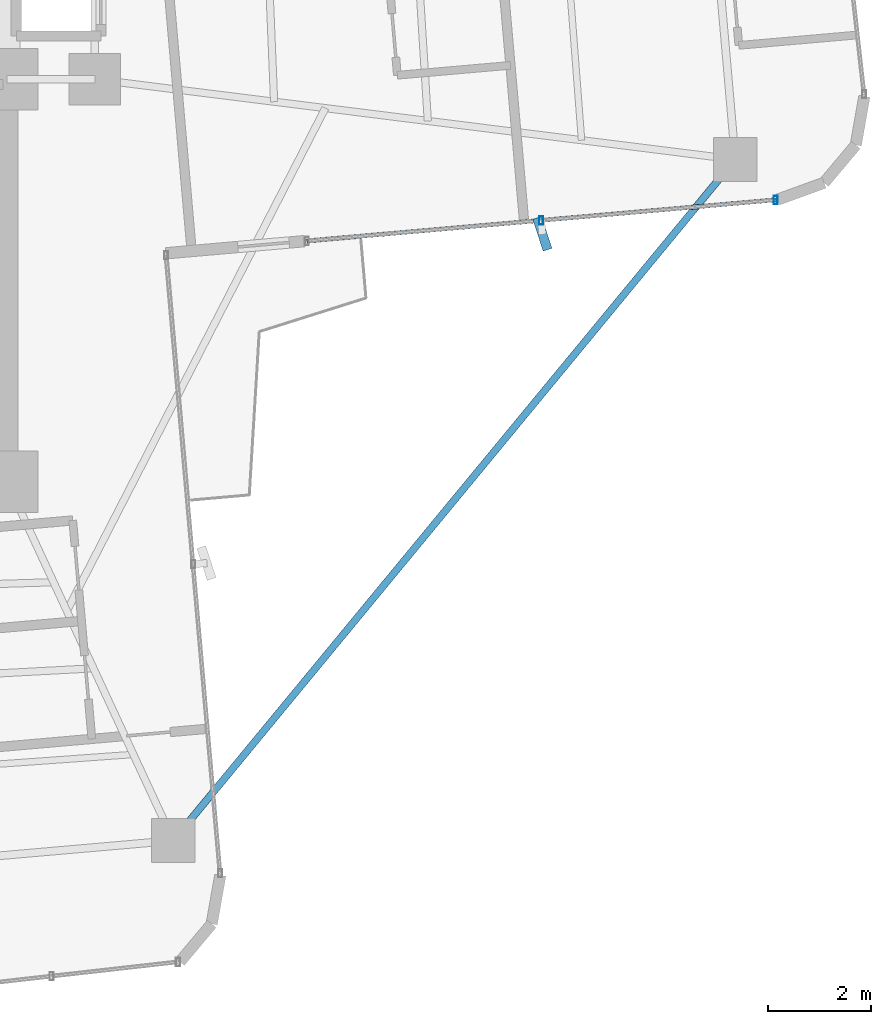
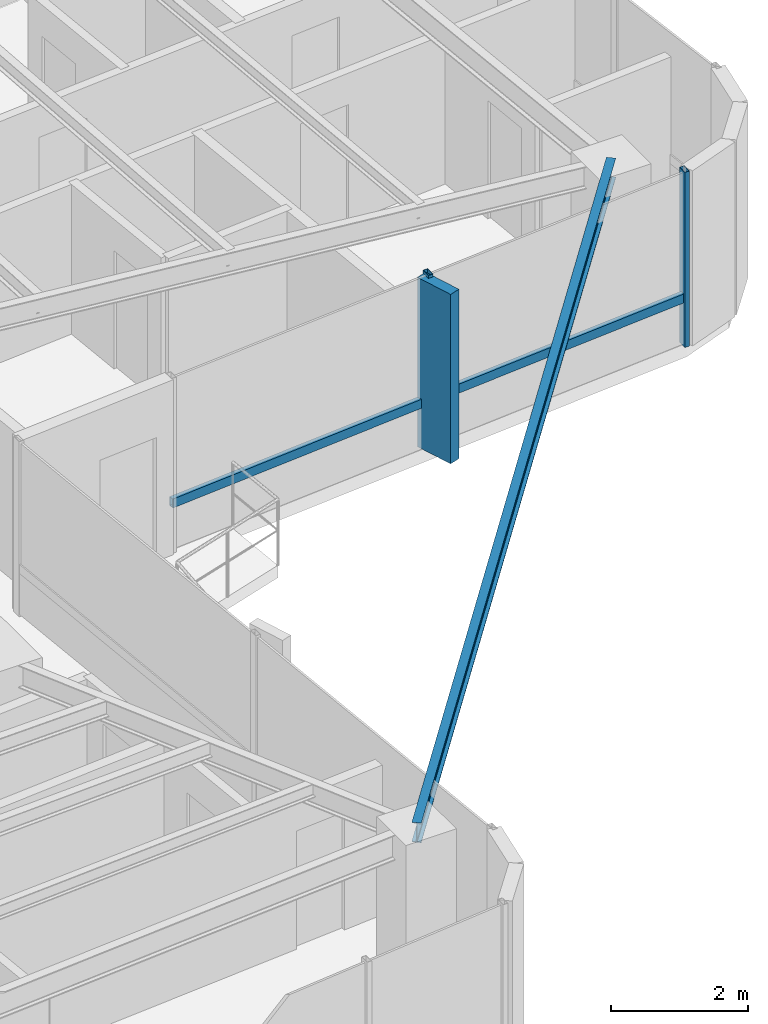
# One storey, part 13 of 24: 5 members, 1 beam, 1 element without a shape of its own.
"""IFC4 building model written with IfcOpenShell, lengths in metres."""

from ifc_helpers import new_model, si_unit, direction, frame, origin, origin_2d, place, context, subcontext, project, spatial, rectangle, hollow_rectangle, i_section, extrude, source, transform, mapped, material, material_profile, profile_set, type_object, element, aggregate, save


model = new_model("IFC4")

# Units and contexts
model_context = context("Model", 3, precision=1e-05, world=origin(), true_north=direction((0.0, 1.0)))
body_context = subcontext(model_context, "Body", "Model", "MODEL_VIEW")
ifc_project = project(units=[si_unit("LENGTHUNIT", "METRE"), si_unit("AREAUNIT", "SQUARE_METRE"), si_unit("VOLUMEUNIT", "CUBIC_METRE"), si_unit("PLANEANGLEUNIT", "RADIAN"), si_unit("MASSUNIT", "GRAM", prefix="KILO")], contexts=[model_context])

# Site, building, storey
site_placement = place(None, origin())
site = spatial("IfcSite", under=ifc_project, at=site_placement, CompositionType="ELEMENT")
building_placement = place(site_placement, origin())
building = spatial("IfcBuilding", under=site, at=building_placement, Name="Sahyath Konkavel Grand Hotel", CompositionType="ELEMENT")
storey_placement = place(building_placement, frame((0.0, 0.0, 191.949951171875)))
storey = spatial("IfcBuildingStorey", under=building, at=storey_placement, Name="L53", CompositionType="ELEMENT", Elevation=191.949951171875)

# Beam
ifc_material_1 = material(Name="Steel E350", Category="steel")
ifc_material_profile_1 = material_profile(ifc_material_1, i_section(OverallWidth=0.139892578125, OverallDepth=0.35009765625, WebThickness=0.008056640625, FlangeThickness=0.01416015625, FilletRadius=0.013916015625, at=origin_2d()), Name="ISMB 350")
ifc_profile_set_1 = profile_set([ifc_material_profile_1], Name="Steel E350")
beam_type = type_object("IfcBeamType", Name="BM-ISMB350", PredefinedType="BEAM", material=ifc_profile_set_1)
shared_shape_1 = source(origin(), body_context, "Body", "SweptSolid", [
    extrude(i_section(OverallWidth=0.139892578125, OverallDepth=0.35009765625, WebThickness=0.008056640625, FlangeThickness=0.01416015625, FilletRadius=0.013916015625, at=origin_2d()), origin(), (0.0, 0.0, 1.0), 17.112548828125),
])
beam_placement = place(storey_placement, frame((17.912841796875, -3.953857421875, 2.93505859375), z_axis=(-0.636437070092, -0.77132863023, 0.0), x_axis=(0.77132863023, -0.636437070092, 0.0)))
element("IfcBeam", 1, at=beam_placement, inside=storey, type_object=beam_type, Name="L53 Re-Entrant Tie Beam SE", PredefinedType="BEAM", context=body_context, shape_type="MappedRepresentation", body=[
    mapped(shared_shape_1, transform((0.0, 0.0, 0.0), scale=1.0)),
])

# Curtain wall, members
ifc_material_2 = material(Name="Anodised Bronze Aluminium & Low-E Glazing", Category="aluminium")
curtain_wall_type = type_object("IfcCurtainWallType", Name="CW-ZONE3", PredefinedType="NOTDEFINED", material=ifc_material_2)
curtain_wall_placement = place(storey_placement, origin())
curtain_wall = element("IfcCurtainWall", 2, at=curtain_wall_placement, inside=storey, type_object=curtain_wall_type, Name="L53 Unitised Curtain Wall F0", PredefinedType="NOTDEFINED")
ifc_material_3 = material(Name="Warm Buff Sandstone Cladding on Concrete C50/60", Category="masonry")
ifc_material_profile_2 = material_profile(ifc_material_3, rectangle(XDim=0.179931640625, YDim=0.64990234375, at=origin_2d()), Name="FIN 180x650")
ifc_profile_set_2 = profile_set([ifc_material_profile_2], Name="Warm Buff Sandstone Cladding on Concrete C50/60")
member_type_1 = type_object("IfcMemberType", Name="FIN-SANDSTONE-650", PredefinedType="MULLION", material=ifc_profile_set_2)
shared_shape_2 = source(origin(), body_context, "Body", "SweptSolid", [
    extrude(rectangle(XDim=0.179931640625, YDim=0.64990234375, at=origin_2d()), origin(), (0.0, 0.0, 1.0), 3.010009765625),
])
member_1_placement = place(storey_placement, frame((14.17431640625, -5.39501953125, 0.050048828125), z_axis=(0.0, 0.0, 1.0), x_axis=(0.951110435449, 0.308850998993, 0.0)))
member_1 = element("IfcMember", 3, at=member_1_placement, type_object=member_type_1, Name="L53 Sandstone Vertical Solar Fin FIN F0-1", PredefinedType="MULLION", context=body_context, shape_type="MappedRepresentation", body=[
    mapped(shared_shape_2, transform((0.0, 0.0, 0.0), scale=1.0)),
])
ifc_material_4 = material(Name="Anodised Bronze Aluminium", Category="aluminium")
ifc_material_profile_3 = material_profile(ifc_material_4, hollow_rectangle(XDim=0.080078125, YDim=0.159912109375, WallThickness=0.006103515625, at=origin_2d()), Name="RHS 160x80x6")
ifc_profile_set_3 = profile_set([ifc_material_profile_3], Name="Anodised Bronze Aluminium")
member_type_2 = type_object("IfcMemberType", Name="CW-MUL-160", PredefinedType="MULLION", material=ifc_profile_set_3)
shared_shape_3 = source(origin(), body_context, "Body", "SweptSolid", [
    extrude(hollow_rectangle(XDim=0.080078125, YDim=0.159912109375, WallThickness=0.006103515625, at=origin_2d()), origin(), (0.0, 0.0, 1.0), 3.110107421875),
])
member_2_placement = place(storey_placement, frame((14.151611328125, -5.135986328125, 0.0), z_axis=(0.0, 0.0, 1.0), x_axis=(1.0, 0.0, 0.0)))
member_2 = element("IfcMember", 4, at=member_2_placement, type_object=member_type_2, Name="L53 Curtain Wall Mullion F0-1", PredefinedType="MULLION", context=body_context, shape_type="MappedRepresentation", body=[
    mapped(shared_shape_3, transform((0.0, 0.0, 0.0), scale=1.0)),
])
member_3_placement = place(storey_placement, frame((18.694091796875, -4.73876953125, 0.0), z_axis=(0.0, 0.0, 1.0), x_axis=(1.0, 0.0, 0.0)))
member_3 = element("IfcMember", 5, at=member_3_placement, type_object=member_type_2, Name="L53 Curtain Wall Mullion F0-2", PredefinedType="MULLION", context=body_context, shape_type="MappedRepresentation", body=[
    mapped(shared_shape_3, transform((0.0, 0.0, 0.0), scale=1.0)),
])
ifc_material_profile_4 = material_profile(ifc_material_4, hollow_rectangle(XDim=0.080078125, YDim=0.159912109375, WallThickness=0.006103515625, at=origin_2d()), Name="RHS 160x80x6")
ifc_profile_set_4 = profile_set([ifc_material_profile_4], Name="Anodised Bronze Aluminium")
member_type_3 = type_object("IfcMemberType", Name="CW-TRN-160", PredefinedType="USERDEFINED", material=ifc_profile_set_4)
shared_shape_4 = source(origin(), body_context, "Body", "SweptSolid", [
    extrude(hollow_rectangle(XDim=0.080078125, YDim=0.159912109375, WallThickness=0.006103515625, at=origin_2d()), origin(), (0.0, 0.0, 1.0), 4.56005859375),
])
member_4_placement = place(storey_placement, frame((9.60888671875, -5.53369140625, 0.85009765625), z_axis=(0.996189590376, 0.087214104516, 0.0), x_axis=(-0.087214104516, 0.996189590376, 0.0)))
member_4 = element("IfcMember", 6, at=member_4_placement, type_object=member_type_3, Name="L53 Curtain Wall Transom F0-0-spandrel", ObjectType="TRANSOM", PredefinedType="USERDEFINED", context=body_context, shape_type="MappedRepresentation", body=[
    mapped(shared_shape_4, transform((0.0, 0.0, 0.0), scale=1.0)),
])
shared_shape_5 = source(origin(), body_context, "Body", "SweptSolid", [
    extrude(hollow_rectangle(XDim=0.080078125, YDim=0.159912109375, WallThickness=0.006103515625, at=origin_2d()), origin(), (0.0, 0.0, 1.0), 4.559814453125),
])
member_5_placement = place(storey_placement, frame((14.151611328125, -5.135986328125, 0.85009765625), z_axis=(0.99619848155, 0.087112486804, 0.0), x_axis=(-0.087112486804, 0.99619848155, 0.0)))
member_5 = element("IfcMember", 7, at=member_5_placement, type_object=member_type_3, Name="L53 Curtain Wall Transom F0-1-spandrel", ObjectType="TRANSOM", PredefinedType="USERDEFINED", context=body_context, shape_type="MappedRepresentation", body=[
    mapped(shared_shape_5, transform((0.0, 0.0, 0.0), scale=1.0)),
])
aggregate(curtain_wall, [member_2, member_1, member_3, member_4, member_5])

save(model, "model.ifc")
